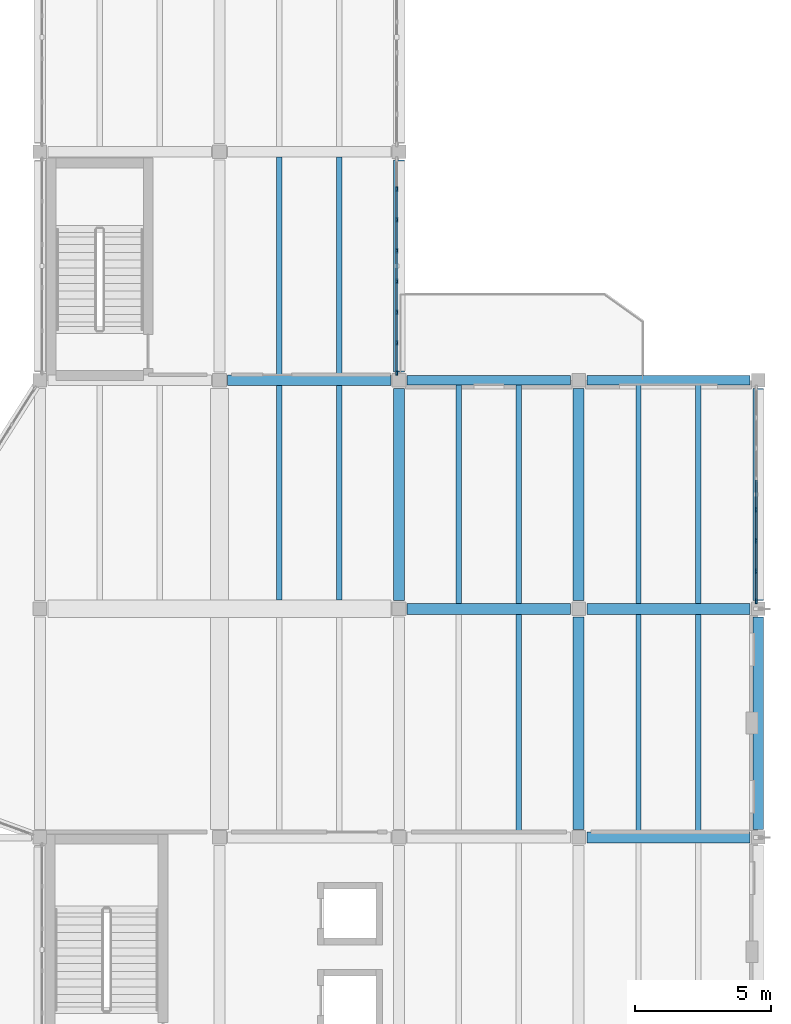
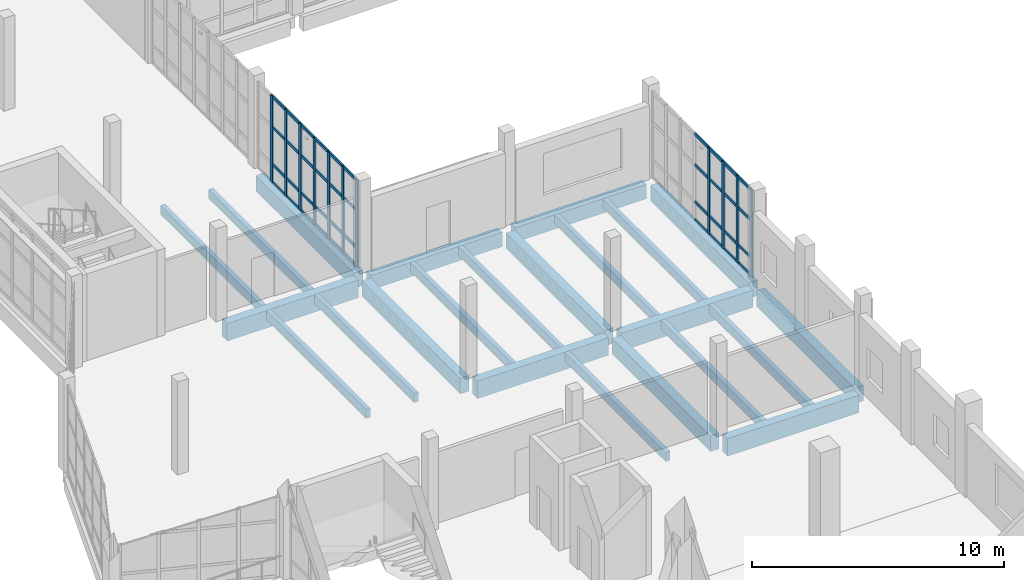
# One storey, part 28 of 83: 51 members, 23 beams, 2 elements without a shape of their own.
"""IFC4 building model written with IfcOpenShell, lengths in metres."""

import ifcopenshell
import ifcopenshell.guid

model = None  # the IFC model being written
_history = None  # IfcOwnerHistory: only IFC2X3 demands one
_inside = {}  # id of a spatial element -> (the spatial element, [elements in it])
_under = {}  # id of a project, library or spatial element -> (it, [spatial elements below it])
_declared = {}  # id of a project -> (the project, [libraries it declares])
_typed = {}  # id of a type object -> (the type object, [elements of that type])
_made_of = {}  # id of a material, layer set ... -> (it, [elements and type objects made of it])


def new_model(schema):
    """Start an empty IFC model of exactly this schema.

    Asked for "IFC4X3", IfcOpenShell would pick the latest addendum, in which some entities
    have other attributes; the version numbers below select the first issue.
    IFC2X3 requires an IfcOwnerHistory on every rooted entity: one is made here for all.
    """
    global model, _history
    if schema == "IFC4X3":
        model = ifcopenshell.file(schema_version=(4, 3, 0, 0))
    else:
        model = ifcopenshell.file(schema=schema)
    _inside.clear()
    _under.clear()
    _declared.clear()
    _typed.clear()
    _made_of.clear()
    _history = None
    if model.schema == "IFC2X3":
        org = make("IfcOrganization", Name="unknown")
        user = make(
            "IfcPersonAndOrganization",
            ThePerson=make("IfcPerson", FamilyName="unknown"),
            TheOrganization=org,
        )
        app = make(
            "IfcApplication",
            ApplicationDeveloper=org,
            Version="unknown",
            ApplicationFullName="unknown",
            ApplicationIdentifier="unknown",
        )
        _history = make(
            "IfcOwnerHistory",
            OwningUser=user,
            OwningApplication=app,
            ChangeAction="ADDED",
            CreationDate=0,
        )
    return model


def make(cls, **values):
    """One entity of the class cls with the attributes given. An attribute that is None is left unset."""
    return model.create_entity(
        cls, **{name: value for name, value in values.items() if value is not None}
    )


def rooted(cls, **values):
    """An entity with a GlobalId (a new one), such as an element, a storey or a relation."""
    return make(cls, GlobalId=ifcopenshell.guid.new(), OwnerHistory=_history, **values)


def si_unit(unit_type, name, prefix=None):
    """IfcSIUnit, for example si_unit("LENGTHUNIT", "METRE", prefix="MILLI")."""
    return make("IfcSIUnit", UnitType=unit_type, Prefix=prefix, Name=name)


def assignment(units):
    """IfcUnitAssignment: the units of a project."""
    return None if units is None else make("IfcUnitAssignment", Units=units)


def point(xyz):
    """IfcCartesianPoint."""
    return None if xyz is None else make("IfcCartesianPoint", Coordinates=xyz)


def direction(xyz):
    """IfcDirection."""
    return None if xyz is None else make("IfcDirection", DirectionRatios=xyz)


def frame(location, z_axis=None, x_axis=None):
    """IfcAxis2Placement3D, a coordinate frame: its origin and axes. An axis left out is left unset."""
    return make(
        "IfcAxis2Placement3D",
        Location=point(location),
        Axis=direction(z_axis),
        RefDirection=direction(x_axis),
    )


def frame_2d(location, x_axis=None):
    """IfcAxis2Placement2D, a coordinate frame in the plane: its origin and x axis."""
    return make(
        "IfcAxis2Placement2D", Location=point(location), RefDirection=direction(x_axis)
    )


def origin():
    """The frame at (0, 0, 0) with its axes left unset."""
    return frame((0.0, 0.0, 0.0))


def origin_2d():
    """The frame at (0, 0) in the plane with its x axis left unset."""
    return frame_2d((0.0, 0.0))


def place(relative_to, where):
    """IfcLocalPlacement: puts the frame where relative to a parent placement (None: the world)."""
    return make(
        "IfcLocalPlacement", PlacementRelTo=relative_to, RelativePlacement=where
    )


def context(
    kind, dimensions, precision=None, world=None, true_north=None, identifier=None
):
    """IfcGeometricRepresentationContext, for example the 3D "Model" context."""
    return make(
        "IfcGeometricRepresentationContext",
        ContextIdentifier=identifier,
        ContextType=kind,
        CoordinateSpaceDimension=dimensions,
        Precision=precision,
        WorldCoordinateSystem=world,
        TrueNorth=true_north,
    )


def subcontext(parent, identifier, kind, view, scale=None):
    """IfcGeometricRepresentationSubContext, for example "Body" below "Model"."""
    return make(
        "IfcGeometricRepresentationSubContext",
        ContextIdentifier=identifier,
        ContextType=kind,
        ParentContext=parent,
        TargetScale=scale,
        TargetView=view,
    )


def project(units=None, contexts=None):
    """IfcProject with its units and contexts."""
    return rooted(
        "IfcProject",
        Name="project",
        RepresentationContexts=contexts,
        UnitsInContext=assignment(units),
    )


def spatial(cls, under=None, at=None, **own):
    """A site, building, storey or space (cls), placed at a placement, below another one or the project."""
    s = rooted(cls, ObjectPlacement=at, **own)
    if under is not None:
        _under.setdefault(under.id(), (under, []))[1].append(s)
    return s


def profile(cls, at=None, kind="AREA", **sizes):
    """A parametric profile (cls). Its sizes go by their IFC names, for example OverallWidth=200.0."""
    return make(cls, ProfileType=kind, Position=at, **sizes)


def rectangle(**sizes):
    """IfcRectangleProfileDef."""
    return profile("IfcRectangleProfileDef", **sizes)


def extrude(swept, where, along, depth):
    """IfcExtrudedAreaSolid: the profile swept, set in the frame where, extruded along a direction by depth."""
    return make(
        "IfcExtrudedAreaSolid",
        SweptArea=swept,
        Position=where,
        ExtrudedDirection=direction(along),
        Depth=depth,
    )


def shape(context_of_items, identifier, shape_type, items):
    """IfcShapeRepresentation: the items that make up one representation, for example the "Body"."""
    return make(
        "IfcShapeRepresentation",
        ContextOfItems=context_of_items,
        RepresentationIdentifier=identifier,
        RepresentationType=shape_type,
        Items=items,
    )


def material(Name=None, Category=None):
    """IfcMaterial."""
    return make("IfcMaterial", Name=Name, Category=Category)


def material_profile(
    of_material, cross_section, Name=None, Category=None, Priority=None
):
    """IfcMaterialProfile: a cross section and its material."""
    return make(
        "IfcMaterialProfile",
        Name=Name,
        Material=of_material,
        Profile=cross_section,
        Priority=Priority,
        Category=Category,
    )


def profile_set(profiles, Name=None, composite=None):
    """IfcMaterialProfileSet."""
    return make(
        "IfcMaterialProfileSet",
        Name=Name,
        MaterialProfiles=profiles,
        CompositeProfile=composite,
    )


def made_of(thing, what):
    """Note that an element or type object is made of a material, layer set ...; save() writes the relation."""
    if what is not None:
        _made_of.setdefault(what.id(), (what, []))[1].append(thing)
    return thing


def type_object(cls, material=None, **own):
    """A type object (cls), such as IfcWallType, which elements share."""
    return made_of(rooted(cls, **own), material)


def element(
    cls,
    number,
    at=None,
    inside=None,
    cuts=None,
    type_object=None,
    material=None,
    context=None,
    identifier="Body",
    shape_type=None,
    held_by="IfcProductDefinitionShape",
    body=None,
    shapes=None,
    **own,
):
    """One element of the class cls, such as IfcWall. Its Tag is "e" and its number.

    at: its placement. inside: the storey or other place that contains it. cuts: it is an
    opening in that element (IfcRelVoidsElement). A single representation is given by context,
    identifier, shape_type and body (its items); several are given by shapes. held_by: the class
    of the entity that holds the representations. save() writes the other relations.
    """
    e = rooted(cls, Tag="e%d" % number, ObjectPlacement=at, **own)
    if body is not None:
        shapes = [shape(context, identifier, shape_type, body)]
    if shapes is not None:
        e.Representation = make(held_by, Representations=shapes)
    if inside is not None:
        _inside.setdefault(inside.id(), (inside, []))[1].append(e)
    if cuts is not None:
        rooted(
            "IfcRelVoidsElement", RelatingBuildingElement=cuts, RelatedOpeningElement=e
        )
    if type_object is not None:
        _typed.setdefault(type_object.id(), (type_object, []))[1].append(e)
    return made_of(e, material)


def aggregate(whole, parts):
    """IfcRelAggregates: a whole, such as a stair, and the parts it consists of."""
    return rooted("IfcRelAggregates", RelatingObject=whole, RelatedObjects=parts)


def save(model, path):
    """Write the relations noted so far, then the file.

    IfcRelAggregates (storeys below a building ...), IfcRelContainedInSpatialStructure (elements
    in a storey), IfcRelDefinesByType, IfcRelAssociatesMaterial and IfcRelDeclares: one each for
    every whole, place, type object, material and project.
    """
    for whole, parts in _under.values():
        aggregate(whole, parts)
    for where, things in _inside.values():
        rooted(
            "IfcRelContainedInSpatialStructure",
            RelatedElements=things,
            RelatingStructure=where,
        )
    for kind, things in _typed.values():
        rooted("IfcRelDefinesByType", RelatedObjects=things, RelatingType=kind)
    for what, things in _made_of.values():
        rooted("IfcRelAssociatesMaterial", RelatedObjects=things, RelatingMaterial=what)
    for by, libraries in _declared.values():
        rooted("IfcRelDeclares", RelatingContext=by, RelatedDefinitions=libraries)
    model.write(path)


model = new_model("IFC4")

# Units and contexts
model_context = context("Model", 3, precision=1e-05, world=origin(), true_north=direction((0.0, 1.0)))
body_context = subcontext(model_context, "Body", "Model", "MODEL_VIEW")
ifc_project = project(units=[si_unit("LENGTHUNIT", "METRE"), si_unit("AREAUNIT", "SQUARE_METRE"), si_unit("VOLUMEUNIT", "CUBIC_METRE"), si_unit("PLANEANGLEUNIT", "RADIAN"), si_unit("MASSUNIT", "GRAM", prefix="KILO")], contexts=[model_context])

# Site, building, storey
site_placement = place(None, origin())
site = spatial("IfcSite", under=ifc_project, at=site_placement, CompositionType="ELEMENT")
building_placement = place(site_placement, origin())
building = spatial("IfcBuilding", under=site, at=building_placement, Name="Qaldarim Faculty of Natural and Applied Sciences", CompositionType="ELEMENT")
storey_placement = place(building_placement, frame((0.0, 0.0, 5.39990234375)))
storey = spatial("IfcBuildingStorey", under=building, at=storey_placement, Name="L01", CompositionType="ELEMENT", Elevation=5.39990234375)

# Beams
ifc_material_1 = material(Name="Concrete C50/60", Category="concrete")
ifc_material_profile_1 = material_profile(ifc_material_1, rectangle(XDim=0.39990234375, YDim=0.75, at=origin_2d()), Name="RC-B400x750")
ifc_profile_set_1 = profile_set([ifc_material_profile_1], Name="Concrete C50/60")
beam_type_1 = type_object("IfcBeamType", Name="LabGirder-RC400x750", PredefinedType="BEAM", material=ifc_profile_set_1)
for number, where, z_axis, x_axis, name in (
    (1, (165.0, 75.89990234375, -0.6748046875), (0.0, 1.0, 0.0), (-1.0, 0.0, 0.0), "Beam RC-B400x750 L00 X26/Y10-Y11"),
    (2, (165.0, 84.300048828125, -0.6748046875), (0.0, 1.0, 0.0), (-1.0, 0.0, 0.0), "Beam RC-B400x750 L00 X26/Y11-Y12"),
    (3, (171.60009765625, 67.5, -0.6748046875), (0.0, 1.0, 0.0), (-1.0, 0.0, 0.0), "Beam RC-B400x750 L00 X27/Y09-Y10"),
    (4, (171.60009765625, 75.89990234375, -0.6748046875), (0.0, 1.0, 0.0), (-1.0, 0.0, 0.0), "Beam RC-B400x750 L00 X27/Y10-Y11"),
    (5, (178.199951171875, 67.5, -0.6748046875), (0.0, 1.0, 0.0), (-1.0, 0.0, 0.0), "Beam RC-B400x750 L00 X28/Y09-Y10"),
    (6, (178.199951171875, 75.89990234375, -0.6748046875), (0.0, 1.0, 0.0), (-1.0, 0.0, 0.0), "Beam RC-B400x750 L00 X28/Y10-Y11"),
):
    element("IfcBeam", number, at=place(storey_placement, frame(where, z_axis=z_axis, x_axis=x_axis)), inside=storey, type_object=beam_type_1, Name=name, PredefinedType="BEAM", context=body_context, shape_type="SweptSolid", body=[
        extrude(rectangle(XDim=0.39990234375, YDim=0.75, at=origin_2d()), origin(), (0.0, 0.0, 1.0), 7.800048828125),
    ])
ifc_material_2 = material(Name="Concrete C40/50", Category="concrete")
ifc_material_profile_2 = material_profile(ifc_material_2, rectangle(XDim=0.199951171875, YDim=0.449951171875, at=origin_2d()), Name="RC-J200x450")
ifc_profile_set_2 = profile_set([ifc_material_profile_2], Name="Concrete C40/50")
beam_type_2 = type_object("IfcBeamType", Name="LabJoist-RC200x450", PredefinedType="JOIST", material=ifc_profile_set_2)
for number, where, z_axis, x_axis, name in (
    (7, (160.60009765625, 75.925048828125, -0.52490234375), (0.0, 1.0, 0.0), (-1.0, 0.0, 0.0), "Laboratory joist L00 bay X25Y10-1"),
    (8, (162.800048828125, 75.925048828125, -0.52490234375), (0.0, 1.0, 0.0), (-1.0, 0.0, 0.0), "Laboratory joist L00 bay X25Y10-2"),
):
    element("IfcBeam", number, at=place(storey_placement, frame(where, z_axis=z_axis, x_axis=x_axis)), inside=storey, type_object=beam_type_2, Name=name, PredefinedType="JOIST", context=body_context, shape_type="SweptSolid", body=[
        extrude(rectangle(XDim=0.199951171875, YDim=0.449951171875, at=origin_2d()), origin(), (0.0, 0.0, 1.0), 7.875),
    ])
for number, where, z_axis, x_axis, name in (
    (9, (160.60009765625, 84.199951171875, -0.52490234375), (0.0, 1.0, 0.0), (-1.0, 0.0, 0.0), "Laboratory joist L00 bay X25Y11-1"),
    (10, (162.800048828125, 84.199951171875, -0.52490234375), (0.0, 1.0, 0.0), (-1.0, 0.0, 0.0), "Laboratory joist L00 bay X25Y11-2"),
    (11, (169.39990234375, 67.39990234375, -0.52490234375), (0.0, 1.0, 0.0), (-1.0, 0.0, 0.0), "Laboratory joist L00 bay X26Y09-2"),
):
    element("IfcBeam", number, at=place(storey_placement, frame(where, z_axis=z_axis, x_axis=x_axis)), inside=storey, type_object=beam_type_2, Name=name, PredefinedType="JOIST", context=body_context, shape_type="SweptSolid", body=[
        extrude(rectangle(XDim=0.199951171875, YDim=0.449951171875, at=origin_2d()), origin(), (0.0, 0.0, 1.0), 8.0),
    ])
for number, where, z_axis, x_axis, name in (
    (12, (167.199951171875, 75.800048828125, -0.52490234375), (0.0, 1.0, 0.0), (-1.0, 0.0, 0.0), "Laboratory joist L00 bay X26Y10-1"),
    (13, (169.39990234375, 75.800048828125, -0.52490234375), (0.0, 1.0, 0.0), (-1.0, 0.0, 0.0), "Laboratory joist L00 bay X26Y10-2"),
):
    element("IfcBeam", number, at=place(storey_placement, frame(where, z_axis=z_axis, x_axis=x_axis)), inside=storey, type_object=beam_type_2, Name=name, PredefinedType="JOIST", context=body_context, shape_type="SweptSolid", body=[
        extrude(rectangle(XDim=0.199951171875, YDim=0.449951171875, at=origin_2d()), origin(), (0.0, 0.0, 1.0), 8.02490234375),
    ])
for number, where, z_axis, x_axis, name in (
    (14, (173.800048828125, 67.39990234375, -0.52490234375), (0.0, 1.0, 0.0), (-1.0, 0.0, 0.0), "Laboratory joist L00 bay X27Y09-1"),
    (15, (176.0, 67.39990234375, -0.52490234375), (0.0, 1.0, 0.0), (-1.0, 0.0, 0.0), "Laboratory joist L00 bay X27Y09-2"),
):
    element("IfcBeam", number, at=place(storey_placement, frame(where, z_axis=z_axis, x_axis=x_axis)), inside=storey, type_object=beam_type_2, Name=name, PredefinedType="JOIST", context=body_context, shape_type="SweptSolid", body=[
        extrude(rectangle(XDim=0.199951171875, YDim=0.449951171875, at=origin_2d()), origin(), (0.0, 0.0, 1.0), 8.0),
    ])
for number, where, z_axis, x_axis, name in (
    (16, (173.800048828125, 75.800048828125, -0.52490234375), (0.0, 1.0, 0.0), (-1.0, 0.0, 0.0), "Laboratory joist L00 bay X27Y10-1"),
    (17, (176.0, 75.800048828125, -0.52490234375), (0.0, 1.0, 0.0), (-1.0, 0.0, 0.0), "Laboratory joist L00 bay X27Y10-2"),
):
    element("IfcBeam", number, at=place(storey_placement, frame(where, z_axis=z_axis, x_axis=x_axis)), inside=storey, type_object=beam_type_2, Name=name, PredefinedType="JOIST", context=body_context, shape_type="SweptSolid", body=[
        extrude(rectangle(XDim=0.199951171875, YDim=0.449951171875, at=origin_2d()), origin(), (0.0, 0.0, 1.0), 8.02490234375),
    ])

# Curtain wall, members
ifc_material_3 = material(Name="Anodised aluminium AW-6063", Category="aluminium")
curtain_wall_type = type_object("IfcCurtainWallType", Name="CurtainWallSystem-M1200", PredefinedType="USERDEFINED", material=ifc_material_3)
curtain_wall_1_placement = place(storey_placement, origin())
curtain_wall_1 = element("IfcCurtainWall", 18, at=curtain_wall_1_placement, inside=storey, type_object=curtain_wall_type, Name="Curtain wall CW-L01-E-X25Y11", ObjectType="STICK CURTAIN WALL", PredefinedType="USERDEFINED")
ifc_material_profile_3 = material_profile(ifc_material_3, rectangle(XDim=0.070068359375, YDim=0.179931640625, at=origin_2d()), Name="ALU-M70x180")
ifc_profile_set_3 = profile_set([ifc_material_profile_3], Name="Anodised aluminium AW-6063")
member_type_1 = type_object("IfcMemberType", Name="Mullion-ALU70x180", PredefinedType="MULLION", material=ifc_profile_set_3)
member_1_placement = place(storey_placement, frame((164.919921875, 84.280029296875, 0.0), z_axis=(0.0, 0.0, 1.0), x_axis=(-1.0, 0.0, 0.0)))
member_1 = element("IfcMember", 19, at=member_1_placement, type_object=member_type_1, Name="Mullion 1 of CW-L01-E-X25Y11", PredefinedType="MULLION", context=body_context, shape_type="SweptSolid", body=[
    extrude(rectangle(XDim=0.070068359375, YDim=0.179931640625, at=origin_2d()), origin(), (0.0, 0.0, 1.0), 4.2001953125),
])
member_2_placement = place(storey_placement, frame((164.919921875, 85.375, 0.0), z_axis=(0.0, 0.0, 1.0), x_axis=(-1.0, 0.0, 0.0)))
member_2 = element("IfcMember", 20, at=member_2_placement, type_object=member_type_1, Name="Mullion 2 of CW-L01-E-X25Y11", PredefinedType="MULLION", context=body_context, shape_type="SweptSolid", body=[
    extrude(rectangle(XDim=0.070068359375, YDim=0.179931640625, at=origin_2d()), origin(), (0.0, 0.0, 1.0), 4.2001953125),
])
member_3_placement = place(storey_placement, frame((164.919921875, 86.5048828125, 0.0), z_axis=(0.0, 0.0, 1.0), x_axis=(-1.0, 0.0, 0.0)))
member_3 = element("IfcMember", 21, at=member_3_placement, type_object=member_type_1, Name="Mullion 3 of CW-L01-E-X25Y11", PredefinedType="MULLION", context=body_context, shape_type="SweptSolid", body=[
    extrude(rectangle(XDim=0.070068359375, YDim=0.179931640625, at=origin_2d()), origin(), (0.0, 0.0, 1.0), 4.2001953125),
])
member_4_placement = place(storey_placement, frame((164.919921875, 87.635009765625, 0.0), z_axis=(0.0, 0.0, 1.0), x_axis=(-1.0, 0.0, 0.0)))
member_4 = element("IfcMember", 22, at=member_4_placement, type_object=member_type_1, Name="Mullion 4 of CW-L01-E-X25Y11", PredefinedType="MULLION", context=body_context, shape_type="SweptSolid", body=[
    extrude(rectangle(XDim=0.070068359375, YDim=0.179931640625, at=origin_2d()), origin(), (0.0, 0.0, 1.0), 4.2001953125),
])
member_5_placement = place(storey_placement, frame((164.919921875, 88.764892578125, 0.0), z_axis=(0.0, 0.0, 1.0), x_axis=(-1.0, 0.0, 0.0)))
member_5 = element("IfcMember", 23, at=member_5_placement, type_object=member_type_1, Name="Mullion 5 of CW-L01-E-X25Y11", PredefinedType="MULLION", context=body_context, shape_type="SweptSolid", body=[
    extrude(rectangle(XDim=0.070068359375, YDim=0.179931640625, at=origin_2d()), origin(), (0.0, 0.0, 1.0), 4.2001953125),
])
member_6_placement = place(storey_placement, frame((164.919921875, 89.89501953125, 0.0), z_axis=(0.0, 0.0, 1.0), x_axis=(-1.0, 0.0, 0.0)))
member_6 = element("IfcMember", 24, at=member_6_placement, type_object=member_type_1, Name="Mullion 6 of CW-L01-E-X25Y11", PredefinedType="MULLION", context=body_context, shape_type="SweptSolid", body=[
    extrude(rectangle(XDim=0.070068359375, YDim=0.179931640625, at=origin_2d()), origin(), (0.0, 0.0, 1.0), 4.2001953125),
])
member_7_placement = place(storey_placement, frame((164.919921875, 91.02490234375, 0.0), z_axis=(0.0, 0.0, 1.0), x_axis=(-1.0, 0.0, 0.0)))
member_7 = element("IfcMember", 25, at=member_7_placement, type_object=member_type_1, Name="Mullion 7 of CW-L01-E-X25Y11", PredefinedType="MULLION", context=body_context, shape_type="SweptSolid", body=[
    extrude(rectangle(XDim=0.070068359375, YDim=0.179931640625, at=origin_2d()), origin(), (0.0, 0.0, 1.0), 4.2001953125),
])

curtain_wall_2_placement = place(storey_placement, origin())
curtain_wall_2 = element("IfcCurtainWall", 26, at=curtain_wall_2_placement, inside=storey, type_object=curtain_wall_type, Name="Curtain wall CW-L01-E-X27Y10", ObjectType="STICK CURTAIN WALL", PredefinedType="USERDEFINED")
member_8_placement = place(storey_placement, frame((178.1201171875, 75.8798828125, 0.0), z_axis=(0.0, 0.0, 1.0), x_axis=(-1.0, 0.0, 0.0)))
member_8 = element("IfcMember", 27, at=member_8_placement, type_object=member_type_1, Name="Mullion 1 of CW-L01-E-X27Y10", PredefinedType="MULLION", context=body_context, shape_type="SweptSolid", body=[
    extrude(rectangle(XDim=0.070068359375, YDim=0.179931640625, at=origin_2d()), origin(), (0.0, 0.0, 1.0), 4.2001953125),
])
member_9_placement = place(storey_placement, frame((178.1201171875, 76.97509765625, 0.0), z_axis=(0.0, 0.0, 1.0), x_axis=(-1.0, 0.0, 0.0)))
member_9 = element("IfcMember", 28, at=member_9_placement, type_object=member_type_1, Name="Mullion 2 of CW-L01-E-X27Y10", PredefinedType="MULLION", context=body_context, shape_type="SweptSolid", body=[
    extrude(rectangle(XDim=0.070068359375, YDim=0.179931640625, at=origin_2d()), origin(), (0.0, 0.0, 1.0), 4.2001953125),
])
member_10_placement = place(storey_placement, frame((178.1201171875, 78.10498046875, 0.0), z_axis=(0.0, 0.0, 1.0), x_axis=(-1.0, 0.0, 0.0)))
member_10 = element("IfcMember", 29, at=member_10_placement, type_object=member_type_1, Name="Mullion 3 of CW-L01-E-X27Y10", PredefinedType="MULLION", context=body_context, shape_type="SweptSolid", body=[
    extrude(rectangle(XDim=0.070068359375, YDim=0.179931640625, at=origin_2d()), origin(), (0.0, 0.0, 1.0), 4.2001953125),
])
member_11_placement = place(storey_placement, frame((178.1201171875, 79.235107421875, 0.0), z_axis=(0.0, 0.0, 1.0), x_axis=(-1.0, 0.0, 0.0)))
member_11 = element("IfcMember", 30, at=member_11_placement, type_object=member_type_1, Name="Mullion 4 of CW-L01-E-X27Y10", PredefinedType="MULLION", context=body_context, shape_type="SweptSolid", body=[
    extrude(rectangle(XDim=0.070068359375, YDim=0.179931640625, at=origin_2d()), origin(), (0.0, 0.0, 1.0), 4.2001953125),
])

# Beams
ifc_material_profile_4 = material_profile(ifc_material_1, rectangle(XDim=0.39990234375, YDim=0.85009765625, at=origin_2d()), Name="RC-B400x850")
ifc_profile_set_4 = profile_set([ifc_material_profile_4], Name="Concrete C50/60")
beam_type_3 = type_object("IfcBeamType", Name="PodiumGirder-RC400x850", PredefinedType="BEAM", material=ifc_profile_set_4)
for number, where, z_axis, x_axis, name in (
    (31, (171.89990234375, 67.199951171875, -0.724853515625), (1.0, 0.0, 0.0), (0.0, 1.0, 0.0), "Beam RC-B400x850 L00 X27-X28/Y09"),
    (32, (165.300048828125, 75.60009765625, -0.724853515625), (1.0, 0.0, 0.0), (0.0, 1.0, 0.0), "Beam RC-B400x850 L00 X26-X27/Y10"),
    (33, (171.89990234375, 75.60009765625, -0.724853515625), (1.0, 0.0, 0.0), (0.0, 1.0, 0.0), "Beam RC-B400x850 L00 X27-X28/Y10"),
    (34, (158.699951171875, 84.0, -0.724853515625), (1.0, 0.0, 0.0), (0.0, 1.0, 0.0), "Beam RC-B400x850 L00 X25-X26/Y11"),
):
    element("IfcBeam", number, at=place(storey_placement, frame(where, z_axis=z_axis, x_axis=x_axis)), inside=storey, type_object=beam_type_3, Name=name, PredefinedType="BEAM", context=body_context, shape_type="SweptSolid", body=[
        extrude(rectangle(XDim=0.39990234375, YDim=0.85009765625, at=origin_2d()), origin(), (0.0, 0.0, 1.0), 6.0),
    ])
ifc_material_profile_5 = material_profile(ifc_material_2, rectangle(XDim=0.35009765625, YDim=0.699951171875, at=origin_2d()), Name="RC-B350x700")
ifc_profile_set_5 = profile_set([ifc_material_profile_5], Name="Concrete C40/50")
beam_type_4 = type_object("IfcBeamType", Name="PrimaryGirder-RC350x700", PredefinedType="BEAM", material=ifc_profile_set_5)
for number, where, z_axis, x_axis, name in (
    (35, (165.300048828125, 84.0, -0.64990234375), (1.0, 0.0, 0.0), (0.0, 1.0, 0.0), "Beam RC-B350x700 L00 X26-X27/Y11"),
    (36, (171.89990234375, 84.0, -0.64990234375), (1.0, 0.0, 0.0), (0.0, 1.0, 0.0), "Beam RC-B350x700 L00 X27-X28/Y11"),
):
    element("IfcBeam", number, at=place(storey_placement, frame(where, z_axis=z_axis, x_axis=x_axis)), inside=storey, type_object=beam_type_4, Name=name, PredefinedType="BEAM", context=body_context, shape_type="SweptSolid", body=[
        extrude(rectangle(XDim=0.35009765625, YDim=0.699951171875, at=origin_2d()), origin(), (0.0, 0.0, 1.0), 6.0),
    ])

# Member
ifc_material_profile_6 = material_profile(ifc_material_3, rectangle(XDim=0.070068359375, YDim=0.139892578125, at=origin_2d()), Name="ALU-T70x140")
ifc_profile_set_6 = profile_set([ifc_material_profile_6], Name="Anodised aluminium AW-6063")
member_type_2 = type_object("IfcMemberType", Name="Transom-ALU70x140", PredefinedType="USERDEFINED", material=ifc_profile_set_6)
member_12_placement = place(storey_placement, frame((164.919921875, 84.31494140625, 0.03515625), z_axis=(0.0, 1.0, 0.0), x_axis=(-1.0, 0.0, 0.0)))
member_12 = element("IfcMember", 37, at=member_12_placement, type_object=member_type_2, Name="Transom 1-1 of CW-L01-E-X25Y11", ObjectType="TRANSOM", PredefinedType="USERDEFINED", context=body_context, shape_type="SweptSolid", body=[
    extrude(rectangle(XDim=0.070068359375, YDim=0.139892578125, at=origin_2d()), origin(), (0.0, 0.0, 1.0), 1.025146484375),
])

member_13_placement = place(storey_placement, frame((164.919921875, 84.31494140625, 0.900146484375), z_axis=(0.0, 1.0, 0.0), x_axis=(-1.0, 0.0, 0.0)))
member_13 = element("IfcMember", 38, at=member_13_placement, type_object=member_type_2, Name="Transom 1-2 of CW-L01-E-X25Y11", ObjectType="TRANSOM", PredefinedType="USERDEFINED", context=body_context, shape_type="SweptSolid", body=[
    extrude(rectangle(XDim=0.070068359375, YDim=0.139892578125, at=origin_2d()), origin(), (0.0, 0.0, 1.0), 1.025146484375),
])

member_14_placement = place(storey_placement, frame((164.919921875, 84.31494140625, 2.7001953125), z_axis=(0.0, 1.0, 0.0), x_axis=(-1.0, 0.0, 0.0)))
member_14 = element("IfcMember", 39, at=member_14_placement, type_object=member_type_2, Name="Transom 1-3 of CW-L01-E-X25Y11", ObjectType="TRANSOM", PredefinedType="USERDEFINED", context=body_context, shape_type="SweptSolid", body=[
    extrude(rectangle(XDim=0.070068359375, YDim=0.139892578125, at=origin_2d()), origin(), (0.0, 0.0, 1.0), 1.025146484375),
])

member_15_placement = place(storey_placement, frame((164.919921875, 84.31494140625, 4.1650390625), z_axis=(0.0, 1.0, 0.0), x_axis=(-1.0, 0.0, 0.0)))
member_15 = element("IfcMember", 40, at=member_15_placement, type_object=member_type_2, Name="Transom 1-4 of CW-L01-E-X25Y11", ObjectType="TRANSOM", PredefinedType="USERDEFINED", context=body_context, shape_type="SweptSolid", body=[
    extrude(rectangle(XDim=0.070068359375, YDim=0.139892578125, at=origin_2d()), origin(), (0.0, 0.0, 1.0), 1.025146484375),
])

member_16_placement = place(storey_placement, frame((164.919921875, 85.409912109375, 0.03515625), z_axis=(0.0, 1.0, 0.0), x_axis=(-1.0, 0.0, 0.0)))
member_16 = element("IfcMember", 41, at=member_16_placement, type_object=member_type_2, Name="Transom 2-1 of CW-L01-E-X25Y11", ObjectType="TRANSOM", PredefinedType="USERDEFINED", context=body_context, shape_type="SweptSolid", body=[
    extrude(rectangle(XDim=0.070068359375, YDim=0.139892578125, at=origin_2d()), origin(), (0.0, 0.0, 1.0), 1.06005859375),
])

member_17_placement = place(storey_placement, frame((164.919921875, 85.409912109375, 0.900146484375), z_axis=(0.0, 1.0, 0.0), x_axis=(-1.0, 0.0, 0.0)))
member_17 = element("IfcMember", 42, at=member_17_placement, type_object=member_type_2, Name="Transom 2-2 of CW-L01-E-X25Y11", ObjectType="TRANSOM", PredefinedType="USERDEFINED", context=body_context, shape_type="SweptSolid", body=[
    extrude(rectangle(XDim=0.070068359375, YDim=0.139892578125, at=origin_2d()), origin(), (0.0, 0.0, 1.0), 1.06005859375),
])

member_18_placement = place(storey_placement, frame((164.919921875, 85.409912109375, 2.7001953125), z_axis=(0.0, 1.0, 0.0), x_axis=(-1.0, 0.0, 0.0)))
member_18 = element("IfcMember", 43, at=member_18_placement, type_object=member_type_2, Name="Transom 2-3 of CW-L01-E-X25Y11", ObjectType="TRANSOM", PredefinedType="USERDEFINED", context=body_context, shape_type="SweptSolid", body=[
    extrude(rectangle(XDim=0.070068359375, YDim=0.139892578125, at=origin_2d()), origin(), (0.0, 0.0, 1.0), 1.06005859375),
])

member_19_placement = place(storey_placement, frame((164.919921875, 85.409912109375, 4.1650390625), z_axis=(0.0, 1.0, 0.0), x_axis=(-1.0, 0.0, 0.0)))
member_19 = element("IfcMember", 44, at=member_19_placement, type_object=member_type_2, Name="Transom 2-4 of CW-L01-E-X25Y11", ObjectType="TRANSOM", PredefinedType="USERDEFINED", context=body_context, shape_type="SweptSolid", body=[
    extrude(rectangle(XDim=0.070068359375, YDim=0.139892578125, at=origin_2d()), origin(), (0.0, 0.0, 1.0), 1.06005859375),
])

member_20_placement = place(storey_placement, frame((164.919921875, 86.5400390625, 0.03515625), z_axis=(0.0, 1.0, 0.0), x_axis=(-1.0, 0.0, 0.0)))
member_20 = element("IfcMember", 45, at=member_20_placement, type_object=member_type_2, Name="Transom 3-1 of CW-L01-E-X25Y11", ObjectType="TRANSOM", PredefinedType="USERDEFINED", context=body_context, shape_type="SweptSolid", body=[
    extrude(rectangle(XDim=0.070068359375, YDim=0.139892578125, at=origin_2d()), origin(), (0.0, 0.0, 1.0), 1.06005859375),
])

member_21_placement = place(storey_placement, frame((164.919921875, 86.5400390625, 0.900146484375), z_axis=(0.0, 1.0, 0.0), x_axis=(-1.0, 0.0, 0.0)))
member_21 = element("IfcMember", 46, at=member_21_placement, type_object=member_type_2, Name="Transom 3-2 of CW-L01-E-X25Y11", ObjectType="TRANSOM", PredefinedType="USERDEFINED", context=body_context, shape_type="SweptSolid", body=[
    extrude(rectangle(XDim=0.070068359375, YDim=0.139892578125, at=origin_2d()), origin(), (0.0, 0.0, 1.0), 1.06005859375),
])

member_22_placement = place(storey_placement, frame((164.919921875, 86.5400390625, 2.7001953125), z_axis=(0.0, 1.0, 0.0), x_axis=(-1.0, 0.0, 0.0)))
member_22 = element("IfcMember", 47, at=member_22_placement, type_object=member_type_2, Name="Transom 3-3 of CW-L01-E-X25Y11", ObjectType="TRANSOM", PredefinedType="USERDEFINED", context=body_context, shape_type="SweptSolid", body=[
    extrude(rectangle(XDim=0.070068359375, YDim=0.139892578125, at=origin_2d()), origin(), (0.0, 0.0, 1.0), 1.06005859375),
])

member_23_placement = place(storey_placement, frame((164.919921875, 86.5400390625, 4.1650390625), z_axis=(0.0, 1.0, 0.0), x_axis=(-1.0, 0.0, 0.0)))
member_23 = element("IfcMember", 48, at=member_23_placement, type_object=member_type_2, Name="Transom 3-4 of CW-L01-E-X25Y11", ObjectType="TRANSOM", PredefinedType="USERDEFINED", context=body_context, shape_type="SweptSolid", body=[
    extrude(rectangle(XDim=0.070068359375, YDim=0.139892578125, at=origin_2d()), origin(), (0.0, 0.0, 1.0), 1.06005859375),
])

member_24_placement = place(storey_placement, frame((164.919921875, 87.669921875, 0.03515625), z_axis=(0.0, 1.0, 0.0), x_axis=(-1.0, 0.0, 0.0)))
member_24 = element("IfcMember", 49, at=member_24_placement, type_object=member_type_2, Name="Transom 4-1 of CW-L01-E-X25Y11", ObjectType="TRANSOM", PredefinedType="USERDEFINED", context=body_context, shape_type="SweptSolid", body=[
    extrude(rectangle(XDim=0.070068359375, YDim=0.139892578125, at=origin_2d()), origin(), (0.0, 0.0, 1.0), 1.06005859375),
])

member_25_placement = place(storey_placement, frame((164.919921875, 87.669921875, 0.900146484375), z_axis=(0.0, 1.0, 0.0), x_axis=(-1.0, 0.0, 0.0)))
member_25 = element("IfcMember", 50, at=member_25_placement, type_object=member_type_2, Name="Transom 4-2 of CW-L01-E-X25Y11", ObjectType="TRANSOM", PredefinedType="USERDEFINED", context=body_context, shape_type="SweptSolid", body=[
    extrude(rectangle(XDim=0.070068359375, YDim=0.139892578125, at=origin_2d()), origin(), (0.0, 0.0, 1.0), 1.06005859375),
])

member_26_placement = place(storey_placement, frame((164.919921875, 87.669921875, 2.7001953125), z_axis=(0.0, 1.0, 0.0), x_axis=(-1.0, 0.0, 0.0)))
member_26 = element("IfcMember", 51, at=member_26_placement, type_object=member_type_2, Name="Transom 4-3 of CW-L01-E-X25Y11", ObjectType="TRANSOM", PredefinedType="USERDEFINED", context=body_context, shape_type="SweptSolid", body=[
    extrude(rectangle(XDim=0.070068359375, YDim=0.139892578125, at=origin_2d()), origin(), (0.0, 0.0, 1.0), 1.06005859375),
])

member_27_placement = place(storey_placement, frame((164.919921875, 87.669921875, 4.1650390625), z_axis=(0.0, 1.0, 0.0), x_axis=(-1.0, 0.0, 0.0)))
member_27 = element("IfcMember", 52, at=member_27_placement, type_object=member_type_2, Name="Transom 4-4 of CW-L01-E-X25Y11", ObjectType="TRANSOM", PredefinedType="USERDEFINED", context=body_context, shape_type="SweptSolid", body=[
    extrude(rectangle(XDim=0.070068359375, YDim=0.139892578125, at=origin_2d()), origin(), (0.0, 0.0, 1.0), 1.06005859375),
])

member_28_placement = place(storey_placement, frame((164.919921875, 88.800048828125, 0.03515625), z_axis=(0.0, 1.0, 0.0), x_axis=(-1.0, 0.0, 0.0)))
member_28 = element("IfcMember", 53, at=member_28_placement, type_object=member_type_2, Name="Transom 5-1 of CW-L01-E-X25Y11", ObjectType="TRANSOM", PredefinedType="USERDEFINED", context=body_context, shape_type="SweptSolid", body=[
    extrude(rectangle(XDim=0.070068359375, YDim=0.139892578125, at=origin_2d()), origin(), (0.0, 0.0, 1.0), 1.06005859375),
])

member_29_placement = place(storey_placement, frame((164.919921875, 88.800048828125, 0.900146484375), z_axis=(0.0, 1.0, 0.0), x_axis=(-1.0, 0.0, 0.0)))
member_29 = element("IfcMember", 54, at=member_29_placement, type_object=member_type_2, Name="Transom 5-2 of CW-L01-E-X25Y11", ObjectType="TRANSOM", PredefinedType="USERDEFINED", context=body_context, shape_type="SweptSolid", body=[
    extrude(rectangle(XDim=0.070068359375, YDim=0.139892578125, at=origin_2d()), origin(), (0.0, 0.0, 1.0), 1.06005859375),
])

member_30_placement = place(storey_placement, frame((164.919921875, 88.800048828125, 2.7001953125), z_axis=(0.0, 1.0, 0.0), x_axis=(-1.0, 0.0, 0.0)))
member_30 = element("IfcMember", 55, at=member_30_placement, type_object=member_type_2, Name="Transom 5-3 of CW-L01-E-X25Y11", ObjectType="TRANSOM", PredefinedType="USERDEFINED", context=body_context, shape_type="SweptSolid", body=[
    extrude(rectangle(XDim=0.070068359375, YDim=0.139892578125, at=origin_2d()), origin(), (0.0, 0.0, 1.0), 1.06005859375),
])

member_31_placement = place(storey_placement, frame((164.919921875, 88.800048828125, 4.1650390625), z_axis=(0.0, 1.0, 0.0), x_axis=(-1.0, 0.0, 0.0)))
member_31 = element("IfcMember", 56, at=member_31_placement, type_object=member_type_2, Name="Transom 5-4 of CW-L01-E-X25Y11", ObjectType="TRANSOM", PredefinedType="USERDEFINED", context=body_context, shape_type="SweptSolid", body=[
    extrude(rectangle(XDim=0.070068359375, YDim=0.139892578125, at=origin_2d()), origin(), (0.0, 0.0, 1.0), 1.06005859375),
])

member_32_placement = place(storey_placement, frame((164.919921875, 89.929931640625, 0.03515625), z_axis=(0.0, 1.0, 0.0), x_axis=(-1.0, 0.0, 0.0)))
member_32 = element("IfcMember", 57, at=member_32_placement, type_object=member_type_2, Name="Transom 6-1 of CW-L01-E-X25Y11", ObjectType="TRANSOM", PredefinedType="USERDEFINED", context=body_context, shape_type="SweptSolid", body=[
    extrude(rectangle(XDim=0.070068359375, YDim=0.139892578125, at=origin_2d()), origin(), (0.0, 0.0, 1.0), 1.06005859375),
])

member_33_placement = place(storey_placement, frame((164.919921875, 89.929931640625, 0.900146484375), z_axis=(0.0, 1.0, 0.0), x_axis=(-1.0, 0.0, 0.0)))
member_33 = element("IfcMember", 58, at=member_33_placement, type_object=member_type_2, Name="Transom 6-2 of CW-L01-E-X25Y11", ObjectType="TRANSOM", PredefinedType="USERDEFINED", context=body_context, shape_type="SweptSolid", body=[
    extrude(rectangle(XDim=0.070068359375, YDim=0.139892578125, at=origin_2d()), origin(), (0.0, 0.0, 1.0), 1.06005859375),
])

member_34_placement = place(storey_placement, frame((164.919921875, 89.929931640625, 2.7001953125), z_axis=(0.0, 1.0, 0.0), x_axis=(-1.0, 0.0, 0.0)))
member_34 = element("IfcMember", 59, at=member_34_placement, type_object=member_type_2, Name="Transom 6-3 of CW-L01-E-X25Y11", ObjectType="TRANSOM", PredefinedType="USERDEFINED", context=body_context, shape_type="SweptSolid", body=[
    extrude(rectangle(XDim=0.070068359375, YDim=0.139892578125, at=origin_2d()), origin(), (0.0, 0.0, 1.0), 1.06005859375),
])

member_35_placement = place(storey_placement, frame((164.919921875, 89.929931640625, 4.1650390625), z_axis=(0.0, 1.0, 0.0), x_axis=(-1.0, 0.0, 0.0)))
member_35 = element("IfcMember", 60, at=member_35_placement, type_object=member_type_2, Name="Transom 6-4 of CW-L01-E-X25Y11", ObjectType="TRANSOM", PredefinedType="USERDEFINED", context=body_context, shape_type="SweptSolid", body=[
    extrude(rectangle(XDim=0.070068359375, YDim=0.139892578125, at=origin_2d()), origin(), (0.0, 0.0, 1.0), 1.06005859375),
])

aggregate(curtain_wall_1, [member_1, member_2, member_3, member_4, member_5, member_6, member_7, member_12, member_13, member_14, member_15, member_16, member_17, member_18, member_19, member_20, member_21, member_22, member_23, member_24, member_25, member_26, member_27, member_28, member_29, member_30, member_31, member_32, member_33, member_34, member_35])

member_36_placement = place(storey_placement, frame((178.1201171875, 75.9150390625, 0.03515625), z_axis=(0.0, 1.0, 0.0), x_axis=(-1.0, 0.0, 0.0)))
member_36 = element("IfcMember", 61, at=member_36_placement, type_object=member_type_2, Name="Transom 1-1 of CW-L01-E-X27Y10", ObjectType="TRANSOM", PredefinedType="USERDEFINED", context=body_context, shape_type="SweptSolid", body=[
    extrude(rectangle(XDim=0.070068359375, YDim=0.139892578125, at=origin_2d()), origin(), (0.0, 0.0, 1.0), 1.02490234375),
])

member_37_placement = place(storey_placement, frame((178.1201171875, 75.9150390625, 0.900146484375), z_axis=(0.0, 1.0, 0.0), x_axis=(-1.0, 0.0, 0.0)))
member_37 = element("IfcMember", 62, at=member_37_placement, type_object=member_type_2, Name="Transom 1-2 of CW-L01-E-X27Y10", ObjectType="TRANSOM", PredefinedType="USERDEFINED", context=body_context, shape_type="SweptSolid", body=[
    extrude(rectangle(XDim=0.070068359375, YDim=0.139892578125, at=origin_2d()), origin(), (0.0, 0.0, 1.0), 1.02490234375),
])

member_38_placement = place(storey_placement, frame((178.1201171875, 75.9150390625, 2.7001953125), z_axis=(0.0, 1.0, 0.0), x_axis=(-1.0, 0.0, 0.0)))
member_38 = element("IfcMember", 63, at=member_38_placement, type_object=member_type_2, Name="Transom 1-3 of CW-L01-E-X27Y10", ObjectType="TRANSOM", PredefinedType="USERDEFINED", context=body_context, shape_type="SweptSolid", body=[
    extrude(rectangle(XDim=0.070068359375, YDim=0.139892578125, at=origin_2d()), origin(), (0.0, 0.0, 1.0), 1.02490234375),
])

member_39_placement = place(storey_placement, frame((178.1201171875, 75.9150390625, 4.1650390625), z_axis=(0.0, 1.0, 0.0), x_axis=(-1.0, 0.0, 0.0)))
member_39 = element("IfcMember", 64, at=member_39_placement, type_object=member_type_2, Name="Transom 1-4 of CW-L01-E-X27Y10", ObjectType="TRANSOM", PredefinedType="USERDEFINED", context=body_context, shape_type="SweptSolid", body=[
    extrude(rectangle(XDim=0.070068359375, YDim=0.139892578125, at=origin_2d()), origin(), (0.0, 0.0, 1.0), 1.02490234375),
])

member_40_placement = place(storey_placement, frame((178.1201171875, 77.010009765625, 0.03515625), z_axis=(0.0, 1.0, 0.0), x_axis=(-1.0, 0.0, 0.0)))
member_40 = element("IfcMember", 65, at=member_40_placement, type_object=member_type_2, Name="Transom 2-1 of CW-L01-E-X27Y10", ObjectType="TRANSOM", PredefinedType="USERDEFINED", context=body_context, shape_type="SweptSolid", body=[
    extrude(rectangle(XDim=0.070068359375, YDim=0.139892578125, at=origin_2d()), origin(), (0.0, 0.0, 1.0), 1.06005859375),
])

member_41_placement = place(storey_placement, frame((178.1201171875, 77.010009765625, 0.900146484375), z_axis=(0.0, 1.0, 0.0), x_axis=(-1.0, 0.0, 0.0)))
member_41 = element("IfcMember", 66, at=member_41_placement, type_object=member_type_2, Name="Transom 2-2 of CW-L01-E-X27Y10", ObjectType="TRANSOM", PredefinedType="USERDEFINED", context=body_context, shape_type="SweptSolid", body=[
    extrude(rectangle(XDim=0.070068359375, YDim=0.139892578125, at=origin_2d()), origin(), (0.0, 0.0, 1.0), 1.06005859375),
])

member_42_placement = place(storey_placement, frame((178.1201171875, 77.010009765625, 2.7001953125), z_axis=(0.0, 1.0, 0.0), x_axis=(-1.0, 0.0, 0.0)))
member_42 = element("IfcMember", 67, at=member_42_placement, type_object=member_type_2, Name="Transom 2-3 of CW-L01-E-X27Y10", ObjectType="TRANSOM", PredefinedType="USERDEFINED", context=body_context, shape_type="SweptSolid", body=[
    extrude(rectangle(XDim=0.070068359375, YDim=0.139892578125, at=origin_2d()), origin(), (0.0, 0.0, 1.0), 1.06005859375),
])

member_43_placement = place(storey_placement, frame((178.1201171875, 77.010009765625, 4.1650390625), z_axis=(0.0, 1.0, 0.0), x_axis=(-1.0, 0.0, 0.0)))
member_43 = element("IfcMember", 68, at=member_43_placement, type_object=member_type_2, Name="Transom 2-4 of CW-L01-E-X27Y10", ObjectType="TRANSOM", PredefinedType="USERDEFINED", context=body_context, shape_type="SweptSolid", body=[
    extrude(rectangle(XDim=0.070068359375, YDim=0.139892578125, at=origin_2d()), origin(), (0.0, 0.0, 1.0), 1.06005859375),
])

member_44_placement = place(storey_placement, frame((178.1201171875, 78.139892578125, 0.03515625), z_axis=(0.0, 1.0, 0.0), x_axis=(-1.0, 0.0, 0.0)))
member_44 = element("IfcMember", 69, at=member_44_placement, type_object=member_type_2, Name="Transom 3-1 of CW-L01-E-X27Y10", ObjectType="TRANSOM", PredefinedType="USERDEFINED", context=body_context, shape_type="SweptSolid", body=[
    extrude(rectangle(XDim=0.070068359375, YDim=0.139892578125, at=origin_2d()), origin(), (0.0, 0.0, 1.0), 1.06005859375),
])

member_45_placement = place(storey_placement, frame((178.1201171875, 78.139892578125, 0.900146484375), z_axis=(0.0, 1.0, 0.0), x_axis=(-1.0, 0.0, 0.0)))
member_45 = element("IfcMember", 70, at=member_45_placement, type_object=member_type_2, Name="Transom 3-2 of CW-L01-E-X27Y10", ObjectType="TRANSOM", PredefinedType="USERDEFINED", context=body_context, shape_type="SweptSolid", body=[
    extrude(rectangle(XDim=0.070068359375, YDim=0.139892578125, at=origin_2d()), origin(), (0.0, 0.0, 1.0), 1.06005859375),
])

member_46_placement = place(storey_placement, frame((178.1201171875, 78.139892578125, 2.7001953125), z_axis=(0.0, 1.0, 0.0), x_axis=(-1.0, 0.0, 0.0)))
member_46 = element("IfcMember", 71, at=member_46_placement, type_object=member_type_2, Name="Transom 3-3 of CW-L01-E-X27Y10", ObjectType="TRANSOM", PredefinedType="USERDEFINED", context=body_context, shape_type="SweptSolid", body=[
    extrude(rectangle(XDim=0.070068359375, YDim=0.139892578125, at=origin_2d()), origin(), (0.0, 0.0, 1.0), 1.06005859375),
])

member_47_placement = place(storey_placement, frame((178.1201171875, 78.139892578125, 4.1650390625), z_axis=(0.0, 1.0, 0.0), x_axis=(-1.0, 0.0, 0.0)))
member_47 = element("IfcMember", 72, at=member_47_placement, type_object=member_type_2, Name="Transom 3-4 of CW-L01-E-X27Y10", ObjectType="TRANSOM", PredefinedType="USERDEFINED", context=body_context, shape_type="SweptSolid", body=[
    extrude(rectangle(XDim=0.070068359375, YDim=0.139892578125, at=origin_2d()), origin(), (0.0, 0.0, 1.0), 1.06005859375),
])

member_48_placement = place(storey_placement, frame((178.1201171875, 79.27001953125, 0.03515625), z_axis=(0.0, 1.0, 0.0), x_axis=(-1.0, 0.0, 0.0)))
member_48 = element("IfcMember", 73, at=member_48_placement, type_object=member_type_2, Name="Transom 4-1 of CW-L01-E-X27Y10", ObjectType="TRANSOM", PredefinedType="USERDEFINED", context=body_context, shape_type="SweptSolid", body=[
    extrude(rectangle(XDim=0.070068359375, YDim=0.139892578125, at=origin_2d()), origin(), (0.0, 0.0, 1.0), 1.06005859375),
])

member_49_placement = place(storey_placement, frame((178.1201171875, 79.27001953125, 0.900146484375), z_axis=(0.0, 1.0, 0.0), x_axis=(-1.0, 0.0, 0.0)))
member_49 = element("IfcMember", 74, at=member_49_placement, type_object=member_type_2, Name="Transom 4-2 of CW-L01-E-X27Y10", ObjectType="TRANSOM", PredefinedType="USERDEFINED", context=body_context, shape_type="SweptSolid", body=[
    extrude(rectangle(XDim=0.070068359375, YDim=0.139892578125, at=origin_2d()), origin(), (0.0, 0.0, 1.0), 1.06005859375),
])

member_50_placement = place(storey_placement, frame((178.1201171875, 79.27001953125, 2.7001953125), z_axis=(0.0, 1.0, 0.0), x_axis=(-1.0, 0.0, 0.0)))
member_50 = element("IfcMember", 75, at=member_50_placement, type_object=member_type_2, Name="Transom 4-3 of CW-L01-E-X27Y10", ObjectType="TRANSOM", PredefinedType="USERDEFINED", context=body_context, shape_type="SweptSolid", body=[
    extrude(rectangle(XDim=0.070068359375, YDim=0.139892578125, at=origin_2d()), origin(), (0.0, 0.0, 1.0), 1.06005859375),
])

member_51_placement = place(storey_placement, frame((178.1201171875, 79.27001953125, 4.1650390625), z_axis=(0.0, 1.0, 0.0), x_axis=(-1.0, 0.0, 0.0)))
member_51 = element("IfcMember", 76, at=member_51_placement, type_object=member_type_2, Name="Transom 4-4 of CW-L01-E-X27Y10", ObjectType="TRANSOM", PredefinedType="USERDEFINED", context=body_context, shape_type="SweptSolid", body=[
    extrude(rectangle(XDim=0.070068359375, YDim=0.139892578125, at=origin_2d()), origin(), (0.0, 0.0, 1.0), 1.06005859375),
])

aggregate(curtain_wall_2, [member_8, member_9, member_10, member_11, member_36, member_37, member_38, member_39, member_40, member_41, member_42, member_43, member_44, member_45, member_46, member_47, member_48, member_49, member_50, member_51])

save(model, "model.ifc")
